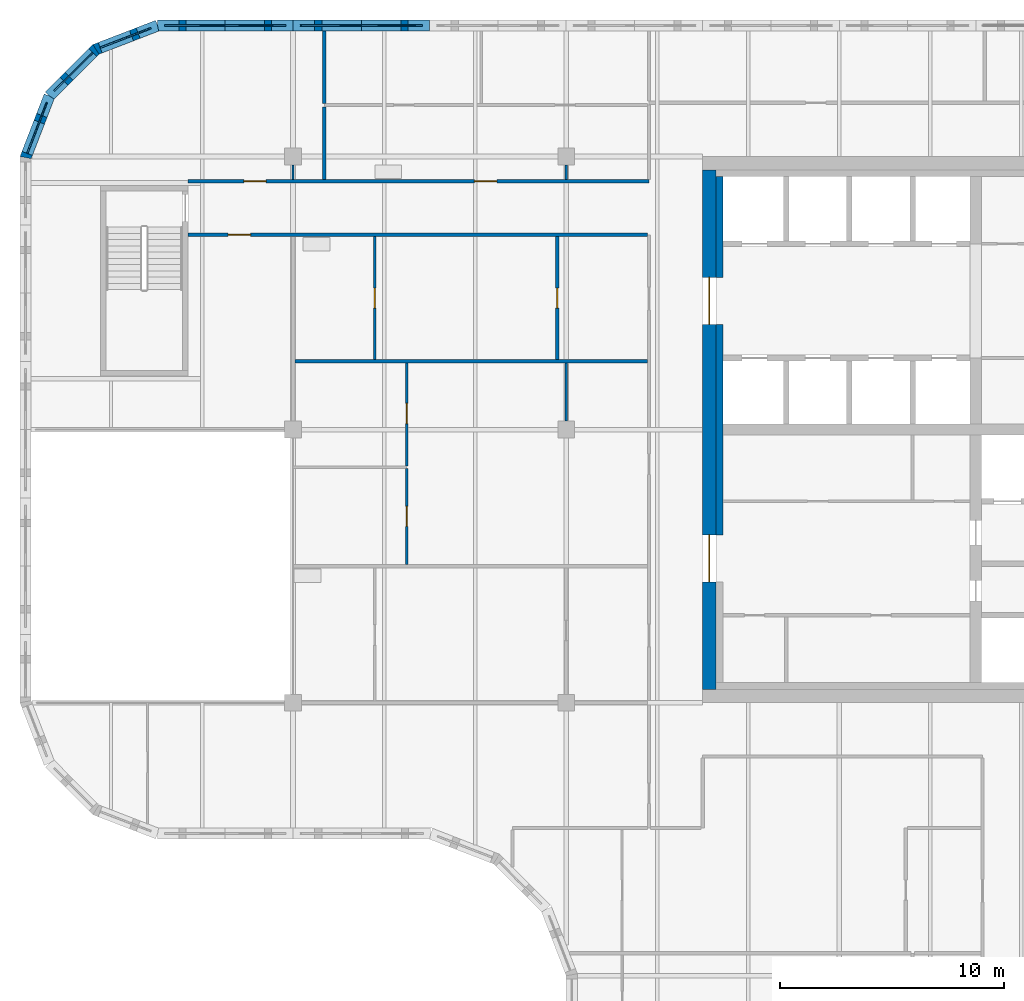
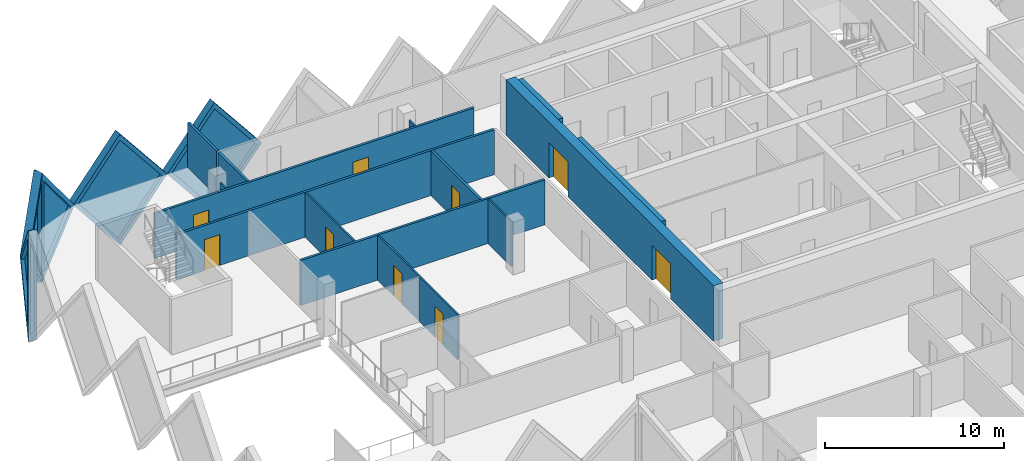
# One storey, part 7 of 12: 20 walls, 9 doors, 5 plates, 14 openings.
"""IFC4 building model written with IfcOpenShell, lengths in metres."""

from ifc_helpers import new_model, si_unit, direction, frame, frame_2d, origin, place, context, subcontext, project, spatial, polyline, rectangle, outline, extrude, faceted_brep, source, transform, mapped, material, layer, layer_set, type_object, element, fill, save


model = new_model("IFC4")

# Units and contexts
model_context = context("Model", 3, precision=1e-05, world=origin(), true_north=direction((0.0, 1.0)))
body_context = subcontext(model_context, "Body", "Model", "MODEL_VIEW")
ifc_project = project(units=[si_unit("LENGTHUNIT", "METRE"), si_unit("AREAUNIT", "SQUARE_METRE"), si_unit("VOLUMEUNIT", "CUBIC_METRE"), si_unit("PLANEANGLEUNIT", "RADIAN"), si_unit("MASSUNIT", "GRAM", prefix="KILO")], contexts=[model_context])

# Site, building, storey
site_placement = place(None, origin())
site = spatial("IfcSite", under=ifc_project, at=site_placement, CompositionType="ELEMENT")
building_placement = place(site_placement, origin())
building = spatial("IfcBuilding", under=site, at=building_placement, Name="Tessera Gate Towers", CompositionType="ELEMENT")
storey_placement = place(building_placement, frame((0.0, 0.0, 159.199951171875)))
storey = spatial("IfcBuildingStorey", under=building, at=storey_placement, Name="L39", CompositionType="ELEMENT", Elevation=159.199951171875)

# Wall, openings, doors
ifc_material_1 = material(Name="Concrete C50/60", Category="concrete")
ifc_layer_1 = layer(ifc_material_1, 0.60009765625)
ifc_layer_set_1 = layer_set([ifc_layer_1], Name="CORE SHEAR WALL 600 C50/60")
wall_type_1 = type_object("IfcWallType", Name="CORE SHEAR WALL 600 C50/60", PredefinedType="SHEAR", material=ifc_layer_set_1)
wall_1_placement = place(storey_placement, frame((30.800048828125, 25.0, 0.0), z_axis=(0.0, 0.0, 1.0), x_axis=(0.0, 1.0, 0.0)))
wall_1 = element("IfcWall", 1, at=wall_1_placement, inside=storey, type_object=wall_type_1, Name="Core wall W L39", PredefinedType="SHEAR", context=body_context, shape_type="SweptSolid", body=[
    extrude(rectangle(XDim=23.199951171875, YDim=0.60009765625, at=frame_2d((11.60009765625, 0.0))), origin(), (0.0, 0.0, 1.0), 3.800048828125),
])
shared_shape_1 = source(origin(), body_context, "Body", "SweptSolid", [
    extrude(rectangle(XDim=2.10009765625, YDim=2.39990234375, at=frame_2d((1.050048828125, 1.199951171875))), frame((0.0, 0.31005859375, 0.0), z_axis=(0.0, -1.0, 0.0), x_axis=(1.0, 0.0, 0.0)), (0.0, 0.0, 1.0), 0.6201171875),
])
opening_1_placement = place(wall_1_placement, frame((4.800048828125, 0.0, 0.0)))
opening_1 = element("IfcOpeningElement", 2, at=opening_1_placement, cuts=wall_1, Name="Opening DD-T1-26-02", PredefinedType="OPENING", context=body_context, shape_type="MappedRepresentation", body=[
    mapped(shared_shape_1, transform((0.0, 0.0, 0.0), scale=1.0)),
])
opening_2_placement = place(wall_1_placement, frame((16.300048828125, 0.0, 0.0)))
opening_2 = element("IfcOpeningElement", 3, at=opening_2_placement, cuts=wall_1, Name="Opening DD-T1-26-03", PredefinedType="OPENING", context=body_context, shape_type="MappedRepresentation", body=[
    mapped(shared_shape_1, transform((0.0, 0.0, 0.0), scale=1.0)),
])
ifc_material_2 = material(Name="Hollow steel fire door", Category="steel")
door_type_1 = type_object("IfcDoorType", Name="CORE DOOR DD 2100x2400", OperationType="NOTDEFINED", PredefinedType="DOOR", material=ifc_material_2)
shared_shape_2 = source(origin(), body_context, "Body", "SweptSolid", [
    extrude(rectangle(XDim=2.10009765625, YDim=2.39990234375, at=frame_2d((1.050048828125, 1.199951171875))), frame((0.0, 0.02490234375, 0.0), z_axis=(0.0, -1.0, 0.0), x_axis=(1.0, 0.0, 0.0)), (0.0, 0.0, 1.0), 0.050048828125),
])
door_1_placement = place(opening_1_placement, origin())
door_1 = element("IfcDoor", 4, at=door_1_placement, inside=storey, type_object=door_type_1, Name="Core entrance door", OperationType="DOUBLE_DOOR_SINGLE_SWING", OverallHeight=2.39990234375, OverallWidth=2.10009765625, PredefinedType="DOOR", context=body_context, shape_type="MappedRepresentation", body=[
    mapped(shared_shape_2, transform((0.0, 0.0, 0.0), scale=1.0)),
])
fill(opening_1, door_1)
door_2_placement = place(opening_2_placement, origin())
door_2 = element("IfcDoor", 5, at=door_2_placement, inside=storey, type_object=door_type_1, Name="Core entrance door", OperationType="DOUBLE_DOOR_SINGLE_SWING", OverallHeight=2.39990234375, OverallWidth=2.10009765625, PredefinedType="DOOR", context=body_context, shape_type="MappedRepresentation", body=[
    mapped(shared_shape_2, transform((0.0, 0.0, 0.0), scale=1.0)),
])
fill(opening_2, door_2)

# Walls
ifc_material_3 = material(Name="Concrete C50/60", Category="concrete")
ifc_layer_2 = layer(ifc_material_3, 0.300048828125)
ifc_layer_set_2 = layer_set([ifc_layer_2], Name="CORE WALL THICKENING 300")
wall_type_2 = type_object("IfcWallType", Name="CORE WALL THICKENING 300", PredefinedType="SOLIDWALL", material=ifc_layer_set_2)
wall_2_placement = place(storey_placement, frame((31.25, 31.89990234375, 0.0), z_axis=(0.0, 0.0, 1.0), x_axis=(0.0, 1.0, 0.0)))
element("IfcWall", 6, at=wall_2_placement, inside=storey, type_object=wall_type_2, Name="Core wall thickening W L39", PredefinedType="SOLIDWALL", context=body_context, shape_type="SweptSolid", body=[
    extrude(rectangle(XDim=9.400146484375, YDim=0.300048828125, at=frame_2d((4.7001953125, 0.0))), origin(), (0.0, 0.0, 1.0), 3.800048828125),
])
wall_3_placement = place(storey_placement, frame((31.25, 43.39990234375, 0.0), z_axis=(0.0, 0.0, 1.0), x_axis=(0.0, 1.0, 0.0)))
element("IfcWall", 7, at=wall_3_placement, inside=storey, type_object=wall_type_2, Name="Core wall thickening W L39", PredefinedType="SOLIDWALL", context=body_context, shape_type="SweptSolid", body=[
    extrude(rectangle(XDim=4.5, YDim=0.300048828125, at=frame_2d((2.25, 0.0))), origin(), (0.0, 0.0, 1.0), 3.800048828125),
])

# Wall, opening, door
ifc_material_4 = material(Name="Gypsum board on steel studs, mineral wool", Category="steel")
ifc_layer_3 = layer(ifc_material_4, 0.14990234375)
ifc_layer_set_3 = layer_set([ifc_layer_3], Name="CORRIDOR WALL 150")
wall_type_3 = type_object("IfcWallType", Name="CORRIDOR WALL 150", PredefinedType="PARTITIONING", material=ifc_layer_set_3)
wall_4_placement = place(storey_placement, frame((28.02392578125, 45.300048828125, 0.0), z_axis=(0.0, 0.0, 1.0), x_axis=(-1.0, 0.0, 0.0)))
wall_4 = element("IfcWall", 8, at=wall_4_placement, inside=storey, type_object=wall_type_3, Name="T1-L39-PW-039", PredefinedType="PARTITIONING", context=body_context, shape_type="SweptSolid", body=[
    extrude(rectangle(XDim=20.52392578125, YDim=0.14990234375, at=frame_2d((10.261962890625, 0.0))), origin(), (0.0, 0.0, 1.0), 3.067138671875),
])
shared_shape_3 = source(origin(), body_context, "Body", "SweptSolid", [
    extrude(rectangle(XDim=1.0, YDim=2.10009765625, at=frame_2d((0.5, 1.050048828125))), frame((0.0, 0.0849609375, 0.0), z_axis=(0.0, -1.0, 0.0), x_axis=(1.0, 0.0, 0.0)), (0.0, 0.0, 1.0), 0.169921875),
])
opening_3_placement = place(wall_4_placement, frame((17.72412109375, 0.0, 0.0)))
opening_3 = element("IfcOpeningElement", 9, at=opening_3_placement, cuts=wall_4, Name="Opening D2100FD60-A14-01", PredefinedType="OPENING", context=body_context, shape_type="MappedRepresentation", body=[
    mapped(shared_shape_3, transform((0.0, 0.0, 0.0), scale=1.0)),
])
ifc_material_5 = material(Name="Timber door leaf in steel frame", Category="steel")
door_type_2 = type_object("IfcDoorType", Name="TENANCY ENTRANCE DOOR 1000 FD60", OperationType="NOTDEFINED", PredefinedType="DOOR", material=ifc_material_5)
shared_shape_4 = source(origin(), body_context, "Body", "SweptSolid", [
    extrude(rectangle(XDim=1.0, YDim=2.10009765625, at=frame_2d((0.5, 1.050048828125))), frame((0.0, 0.02490234375, 0.0), z_axis=(0.0, -1.0, 0.0), x_axis=(1.0, 0.0, 0.0)), (0.0, 0.0, 1.0), 0.050048828125),
])
door_3_placement = place(opening_3_placement, origin())
door_3 = element("IfcDoor", 10, at=door_3_placement, inside=storey, type_object=door_type_2, Name="T1-L39-PD-005", OperationType="SINGLE_SWING_RIGHT", OverallHeight=2.10009765625, OverallWidth=1.0, PredefinedType="DOOR", context=body_context, shape_type="MappedRepresentation", body=[
    mapped(shared_shape_4, transform((0.0, 0.0, 0.0), scale=1.0)),
])
fill(opening_3, door_3)

# Wall, openings, doors
wall_5_placement = place(storey_placement, frame((7.5, 47.699951171875, 0.0), z_axis=(0.0, 0.0, 1.0), x_axis=(1.0, 0.0, 0.0)))
wall_5 = element("IfcWall", 11, at=wall_5_placement, inside=storey, type_object=wall_type_3, Name="T1-L39-PW-040", PredefinedType="PARTITIONING", context=body_context, shape_type="SweptSolid", body=[
    extrude(rectangle(XDim=20.60009765625, YDim=0.14990234375, at=frame_2d((10.300048828125, 0.0))), origin(), (0.0, 0.0, 1.0), 3.067138671875),
])
opening_4_placement = place(wall_5_placement, frame((2.5, 0.0, 0.0)))
opening_4 = element("IfcOpeningElement", 12, at=opening_4_placement, cuts=wall_5, Name="Opening D2100FD60-A14-05", PredefinedType="OPENING", context=body_context, shape_type="MappedRepresentation", body=[
    mapped(shared_shape_3, transform((0.0, 0.0, 0.0), scale=1.0)),
])
opening_5_placement = place(wall_5_placement, frame((12.800048828125, 0.0, 0.0)))
opening_5 = element("IfcOpeningElement", 13, at=opening_5_placement, cuts=wall_5, Name="Opening D2100FD60-A14-09", PredefinedType="OPENING", context=body_context, shape_type="MappedRepresentation", body=[
    mapped(shared_shape_3, transform((0.0, 0.0, 0.0), scale=1.0)),
])
door_4_placement = place(opening_4_placement, origin())
door_4 = element("IfcDoor", 14, at=door_4_placement, inside=storey, type_object=door_type_2, Name="T1-L39-PD-016", OperationType="SINGLE_SWING_LEFT", OverallHeight=2.10009765625, OverallWidth=1.0, PredefinedType="DOOR", context=body_context, shape_type="MappedRepresentation", body=[
    mapped(shared_shape_4, transform((0.0, 0.0, 0.0), scale=1.0)),
])
fill(opening_4, door_4)
door_5_placement = place(opening_5_placement, origin())
door_5 = element("IfcDoor", 15, at=door_5_placement, inside=storey, type_object=door_type_2, Name="T1-L39-PD-026", OperationType="SINGLE_SWING_LEFT", OverallHeight=2.10009765625, OverallWidth=1.0, PredefinedType="DOOR", context=body_context, shape_type="MappedRepresentation", body=[
    mapped(shared_shape_4, transform((0.0, 0.0, 0.0), scale=1.0)),
])
fill(opening_5, door_5)

# Wall, opening, door
ifc_material_6 = material(Name="Gypsum board on steel studs", Category="steel")
ifc_layer_4 = layer(ifc_material_6, 0.10009765625)
ifc_layer_set_4 = layer_set([ifc_layer_4], Name="PARTITION 100")
wall_type_4 = type_object("IfcWallType", Name="PARTITION 100", PredefinedType="PARTITIONING", material=ifc_layer_set_4)
wall_6_placement = place(storey_placement, frame((17.27490234375, 30.575927734375, 0.0), z_axis=(0.0, 0.0, 1.0), x_axis=(0.0, 1.0, 0.0)))
wall_6 = element("IfcWall", 16, at=wall_6_placement, inside=storey, type_object=wall_type_4, Name="T1-L39-PW-031", PredefinedType="PARTITIONING", context=body_context, shape_type="SweptSolid", body=[
    extrude(rectangle(XDim=4.29345703125, YDim=0.10009765625, at=frame_2d((2.146728515625, 0.0))), origin(), (0.0, 0.0, 1.0), 3.067138671875),
])
shared_shape_5 = source(origin(), body_context, "Body", "SweptSolid", [
    extrude(rectangle(XDim=0.89990234375, YDim=2.10009765625, at=frame_2d((0.449951171875, 1.050048828125))), frame((0.0, 0.06005859375, 0.0), z_axis=(0.0, -1.0, 0.0), x_axis=(1.0, 0.0, 0.0)), (0.0, 0.0, 1.0), 0.1201171875),
])
opening_6_placement = place(wall_6_placement, frame((1.699951171875, 0.0, 0.0)))
opening_6 = element("IfcOpeningElement", 17, at=opening_6_placement, cuts=wall_6, Name="Opening D190-A14-02", PredefinedType="OPENING", context=body_context, shape_type="MappedRepresentation", body=[
    mapped(shared_shape_5, transform((0.0, 0.0, 0.0), scale=1.0)),
])
ifc_material_7 = material(Name="Timber door leaf in steel frame", Category="steel")
door_type_3 = type_object("IfcDoorType", Name="INTERNAL DOOR 900 NOT RATED", OperationType="NOTDEFINED", PredefinedType="DOOR", material=ifc_material_7)
shared_shape_6 = source(origin(), body_context, "Body", "SweptSolid", [
    extrude(rectangle(XDim=0.89990234375, YDim=2.10009765625, at=frame_2d((0.449951171875, 1.050048828125))), frame((0.0, 0.02490234375, 0.0), z_axis=(0.0, -1.0, 0.0), x_axis=(1.0, 0.0, 0.0)), (0.0, 0.0, 1.0), 0.050048828125),
])
door_6_placement = place(opening_6_placement, origin())
door_6 = element("IfcDoor", 18, at=door_6_placement, inside=storey, type_object=door_type_3, Name="T1-L39-PD-003", OperationType="SINGLE_SWING_LEFT", OverallHeight=2.10009765625, OverallWidth=0.89990234375, PredefinedType="DOOR", context=body_context, shape_type="MappedRepresentation", body=[
    mapped(shared_shape_6, transform((0.0, 0.0, 0.0), scale=1.0)),
])
fill(opening_6, door_6)

wall_7_placement = place(storey_placement, frame((17.27490234375, 34.97119140625, 0.0), z_axis=(0.0, 0.0, 1.0), x_axis=(0.0, 1.0, 0.0)))
wall_7 = element("IfcWall", 19, at=wall_7_placement, inside=storey, type_object=wall_type_4, Name="T1-L39-PW-033", PredefinedType="PARTITIONING", context=body_context, shape_type="SweptSolid", body=[
    extrude(rectangle(XDim=4.602783203125, YDim=0.10009765625, at=frame_2d((2.30126953125, 0.0))), origin(), (0.0, 0.0, 1.0), 3.067138671875),
])
opening_7_placement = place(wall_7_placement, frame((1.89990234375, 0.0, 0.0)))
opening_7 = element("IfcOpeningElement", 20, at=opening_7_placement, cuts=wall_7, Name="Opening D190-A14-03", PredefinedType="OPENING", context=body_context, shape_type="MappedRepresentation", body=[
    mapped(shared_shape_5, transform((0.0, 0.0, 0.0), scale=1.0)),
])
door_7_placement = place(opening_7_placement, origin())
door_7 = element("IfcDoor", 21, at=door_7_placement, inside=storey, type_object=door_type_3, Name="T1-L39-PD-004", OperationType="SINGLE_SWING_LEFT", OverallHeight=2.10009765625, OverallWidth=0.89990234375, PredefinedType="DOOR", context=body_context, shape_type="MappedRepresentation", body=[
    mapped(shared_shape_6, transform((0.0, 0.0, 0.0), scale=1.0)),
])
fill(opening_7, door_7)

# Wall
wall_8_placement = place(storey_placement, frame((24.39990234375, 36.97509765625, 0.0), z_axis=(0.0, 0.0, 1.0), x_axis=(0.0, 1.0, 0.0)))
element("IfcWall", 22, at=wall_8_placement, inside=storey, type_object=wall_type_4, Name="T1-L39-PW-035", PredefinedType="PARTITIONING", context=body_context, shape_type="SweptSolid", body=[
    extrude(rectangle(XDim=2.599853515625, YDim=0.10009765625, at=frame_2d((1.2998046875, 0.0))), origin(), (0.0, 0.0, 1.0), 3.067138671875),
])

# Wall, opening, door
wall_9_placement = place(storey_placement, frame((15.85009765625, 39.72607421875, 0.0), z_axis=(0.0, 0.0, 1.0), x_axis=(0.0, 1.0, 0.0)))
wall_9 = element("IfcWall", 23, at=wall_9_placement, inside=storey, type_object=wall_type_4, Name="T1-L39-PW-037", PredefinedType="PARTITIONING", context=body_context, shape_type="SweptSolid", body=[
    extrude(rectangle(XDim=5.498046875, YDim=0.10009765625, at=frame_2d((2.7490234375, 0.0))), origin(), (0.0, 0.0, 1.0), 3.067138671875),
])
opening_8_placement = place(wall_9_placement, frame((2.300048828125, 0.0, 0.0)))
opening_8 = element("IfcOpeningElement", 24, at=opening_8_placement, cuts=wall_9, Name="Opening D190-A14-06", PredefinedType="OPENING", context=body_context, shape_type="MappedRepresentation", body=[
    mapped(shared_shape_5, transform((0.0, 0.0, 0.0), scale=1.0)),
])
door_8_placement = place(opening_8_placement, origin())
door_8 = element("IfcDoor", 25, at=door_8_placement, inside=storey, type_object=door_type_3, Name="T1-L39-PD-009", OperationType="SINGLE_SWING_LEFT", OverallHeight=2.10009765625, OverallWidth=0.89990234375, PredefinedType="DOOR", context=body_context, shape_type="MappedRepresentation", body=[
    mapped(shared_shape_6, transform((0.0, 0.0, 0.0), scale=1.0)),
])
fill(opening_8, door_8)

# Walls
for number, where, z_axis, x_axis, name in (
    (26, (12.199951171875, 48.425048828125, 0.0), (0.0, 0.0, 1.0), (0.0, -1.0, 0.0), "T1-L39-PW-043"),
    (27, (24.39990234375, 48.425048828125, 0.0), (0.0, 0.0, 1.0), (0.0, -1.0, 0.0), "T1-L39-PW-044"),
):
    element("IfcWall", number, at=place(storey_placement, frame(where, z_axis=z_axis, x_axis=x_axis)), inside=storey, type_object=wall_type_4, Name=name, PredefinedType="PARTITIONING", context=body_context, shape_type="SweptSolid", body=[
        extrude(rectangle(XDim=0.650146484375, YDim=0.10009765625, at=frame_2d((0.3251953125, 0.0))), origin(), (0.0, 0.0, 1.0), 3.067138671875),
    ])
ifc_material_8 = material(Name="Gypsum board on steel studs, mineral wool", Category="steel")
ifc_layer_5 = layer(ifc_material_8, 0.14990234375)
ifc_layer_set_5 = layer_set([ifc_layer_5], Name="TENANCY WALL 150")
wall_type_5 = type_object("IfcWallType", Name="TENANCY WALL 150", PredefinedType="PARTITIONING", material=ifc_layer_set_5)
wall_10_placement = place(storey_placement, frame((12.27587890625, 39.64990234375, 0.0), z_axis=(0.0, 0.0, 1.0), x_axis=(1.0, 0.0, 0.0)))
element("IfcWall", 28, at=wall_10_placement, inside=storey, type_object=wall_type_5, Name="T1-L39-PW-036", PredefinedType="PARTITIONING", context=body_context, shape_type="SweptSolid", body=[
    extrude(rectangle(XDim=15.748046875, YDim=0.14990234375, at=frame_2d((7.8740234375, 0.0))), origin(), (0.0, 0.0, 1.0), 3.067138671875),
])

# Wall, opening, door
wall_11_placement = place(storey_placement, frame((24.0, 39.72607421875, 0.0), z_axis=(0.0, 0.0, 1.0), x_axis=(0.0, 1.0, 0.0)))
wall_11 = element("IfcWall", 29, at=wall_11_placement, inside=storey, type_object=wall_type_5, Name="T1-L39-PW-038", PredefinedType="PARTITIONING", context=body_context, shape_type="SweptSolid", body=[
    extrude(rectangle(XDim=5.498046875, YDim=0.14990234375, at=frame_2d((2.7490234375, 0.0))), origin(), (0.0, 0.0, 1.0), 3.067138671875),
])
shared_shape_7 = source(origin(), body_context, "Body", "SweptSolid", [
    extrude(rectangle(XDim=0.89990234375, YDim=2.10009765625, at=frame_2d((0.449951171875, 1.050048828125))), frame((0.0, 0.0849609375, 0.0), z_axis=(0.0, -1.0, 0.0), x_axis=(1.0, 0.0, 0.0)), (0.0, 0.0, 1.0), 0.169921875),
])
opening_9_placement = place(wall_11_placement, frame((2.300048828125, 0.0, 0.0)))
opening_9 = element("IfcOpeningElement", 30, at=opening_9_placement, cuts=wall_11, Name="Opening D190-A14-05", PredefinedType="OPENING", context=body_context, shape_type="MappedRepresentation", body=[
    mapped(shared_shape_7, transform((0.0, 0.0, 0.0), scale=1.0)),
])
door_9_placement = place(opening_9_placement, origin())
door_9 = element("IfcDoor", 31, at=door_9_placement, inside=storey, type_object=door_type_3, Name="T1-L39-PD-008", OperationType="SINGLE_SWING_LEFT", OverallHeight=2.10009765625, OverallWidth=0.89990234375, PredefinedType="DOOR", context=body_context, shape_type="MappedRepresentation", body=[
    mapped(shared_shape_6, transform((0.0, 0.0, 0.0), scale=1.0)),
])
fill(opening_9, door_9)

# Walls
wall_12_placement = place(storey_placement, frame((13.60009765625, 47.77587890625, 0.0), z_axis=(0.0, 0.0, 1.0), x_axis=(0.0, 1.0, 0.0)))
element("IfcWall", 32, at=wall_12_placement, inside=storey, type_object=wall_type_5, Name="T1-L39-PW-041", PredefinedType="PARTITIONING", context=body_context, shape_type="SweptSolid", body=[
    extrude(rectangle(XDim=3.248046875, YDim=0.14990234375, at=frame_2d((1.6240234375, 0.0))), origin(), (0.0, 0.0, 1.0), 3.067138671875),
])
wall_13_placement = place(storey_placement, frame((13.60009765625, 51.176025390625, 0.0), z_axis=(0.0, 0.0, 1.0), x_axis=(0.0, 1.0, 0.0)))
element("IfcWall", 33, at=wall_13_placement, inside=storey, type_object=wall_type_5, Name="T1-L39-PW-046", PredefinedType="PARTITIONING", context=body_context, shape_type="SweptSolid", body=[
    extrude(rectangle(XDim=3.223876953125, YDim=0.14990234375, at=frame_2d((1.61181640625, 0.0))), origin(), (0.0, 0.0, 1.0), 3.067138671875),
])

# Wall, opening, plate
ifc_material_9 = material(Name="Precast concrete C60/75 white", Category="concrete")
ifc_layer_6 = layer(ifc_material_9, 0.5)
ifc_layer_set_6 = layer_set([ifc_layer_6], Name="TS1 tessera")
wall_type_6 = type_object("IfcWallType", Name="TS1 tessera", PredefinedType="SOLIDWALL", material=ifc_layer_set_6)
shared_shape_8 = source(origin(), body_context, "Body", "SweptSolid", [
    extrude(outline(polyline([(3.050048828125, 0.0), (6.10009765625, 3.800048828125), (3.050048828125, 7.60009765625), (0.0, 3.800048828125), (3.050048828125, 0.0)])), frame((0.0, 0.25, 0.0), z_axis=(0.0, -1.0, 0.0), x_axis=(1.0, 0.0, 0.0)), (0.0, 0.0, 1.0), 0.5),
])
wall_14_placement = place(storey_placement, frame((18.300048828125, 54.64990234375, -3.800048828125), z_axis=(0.0, 0.0, 1.0), x_axis=(-1.0, 0.0, 0.0)))
wall_14 = element("IfcWall", 34, at=wall_14_placement, inside=storey, type_object=wall_type_6, Name="Precast tessera T1 TS1-0660", PredefinedType="SOLIDWALL", context=body_context, shape_type="MappedRepresentation", body=[
    mapped(shared_shape_8, transform((0.0, 0.0, 0.0), scale=1.0)),
])
shared_shape_9 = source(origin(), body_context, "Body", "SweptSolid", [
    extrude(outline(polyline([(3.050048828125, 0.3994140625), (5.779541015625, 3.800048828125), (3.050048828125, 7.20068359375), (0.320556640625, 3.800048828125), (3.050048828125, 0.3994140625)])), frame((0.0, 0.260009765625, 0.0), z_axis=(0.0, -1.0, 0.0), x_axis=(1.0, 0.0, 0.0)), (0.0, 0.0, 1.0), 0.52001953125),
])
opening_10_placement = place(wall_14_placement, origin())
opening_10 = element("IfcOpeningElement", 35, at=opening_10_placement, cuts=wall_14, Name="Opening T1-PL2-1340", PredefinedType="OPENING", context=body_context, shape_type="MappedRepresentation", body=[
    mapped(shared_shape_9, transform((0.0, 0.0, 0.0), scale=1.0)),
])
ifc_material_10 = material(Name="Low-e laminated glass", Category="glass")
ifc_layer_7 = layer(ifc_material_10, 0.06005859375)
ifc_layer_set_7 = layer_set([ifc_layer_7], Name="PL2 rhombic pane")
plate_type = type_object("IfcPlateType", Name="PL2 rhombic pane", PredefinedType="SHEET", material=ifc_layer_set_7)
shared_shape_10 = source(origin(), body_context, "Body", "SweptSolid", [
    extrude(outline(polyline([(3.050048828125, 0.3994140625), (5.779541015625, 3.800048828125), (3.050048828125, 7.20068359375), (0.320556640625, 3.800048828125), (3.050048828125, 0.3994140625)])), frame((0.0, 0.030029296875, 0.0), z_axis=(0.0, -1.0, 0.0), x_axis=(1.0, 0.0, 0.0)), (0.0, 0.0, 1.0), 0.06005859375),
])
plate_1_placement = place(opening_10_placement, origin())
plate_1 = element("IfcPlate", 36, at=plate_1_placement, inside=storey, type_object=plate_type, Name="Glass pane T1 PL2-1340", PredefinedType="SHEET", context=body_context, shape_type="MappedRepresentation", body=[
    mapped(shared_shape_10, transform((0.0, 0.0, 0.0), scale=1.0)),
])
fill(opening_10, plate_1)

shared_shape_11 = source(origin(), body_context, "Body", "Brep", [
    faceted_brep([(3.050048828125, -0.25, 0.0), (6.053466796875, -0.25, 3.800048828125), (3.050048828125, -0.25, 7.60009765625), (0.0, -0.25, 3.800048828125), (0.0, 0.25, 3.800048828125), (3.050048828125, 0.25, 7.60009765625), (6.0068359375, 0.25, 3.85888671875), (6.0068359375, 0.25, 3.7412109375), (3.050048828125, 0.25, 0.0), (6.053466796875, 0.0, 3.800048828125)], [[[0, 1, 2, 3]], [[4, 5, 6, 7, 8]], [[8, 7, 9, 1, 0]], [[6, 5, 2, 1, 9]], [[5, 4, 3, 2]], [[4, 8, 0, 3]], [[9, 7, 6]]]),
])
wall_15_placement = place(storey_placement, frame((12.199951171875, 54.64990234375, -3.800048828125), z_axis=(0.0, 0.0, 1.0), x_axis=(-1.0, 0.0, 0.0)))
wall_15 = element("IfcWall", 37, at=wall_15_placement, inside=storey, type_object=wall_type_6, Name="Precast tessera T1 TS1-0661", PredefinedType="SOLIDWALL", context=body_context, shape_type="MappedRepresentation", body=[
    mapped(shared_shape_11, transform((0.0, 0.0, 0.0), scale=1.0)),
])
shared_shape_12 = source(origin(), body_context, "Body", "SweptSolid", [
    extrude(outline(polyline([(3.048583984375, 0.4013671875), (5.73486328125, 3.800048828125), (3.048583984375, 7.19873046875), (0.320556640625, 3.800048828125), (3.048583984375, 0.4013671875)])), frame((0.0, 0.260009765625, 0.0), z_axis=(0.0, -1.0, 0.0), x_axis=(1.0, 0.0, 0.0)), (0.0, 0.0, 1.0), 0.52001953125),
])
opening_11_placement = place(wall_15_placement, origin())
opening_11 = element("IfcOpeningElement", 38, at=opening_11_placement, cuts=wall_15, Name="Opening T1-PL2-1341", PredefinedType="OPENING", context=body_context, shape_type="MappedRepresentation", body=[
    mapped(shared_shape_12, transform((0.0, 0.0, 0.0), scale=1.0)),
])
shared_shape_13 = source(origin(), body_context, "Body", "SweptSolid", [
    extrude(outline(polyline([(3.048583984375, 0.4013671875), (5.73486328125, 3.800048828125), (3.048583984375, 7.19873046875), (0.320556640625, 3.800048828125), (3.048583984375, 0.4013671875)])), frame((0.0, 0.030029296875, 0.0), z_axis=(0.0, -1.0, 0.0), x_axis=(1.0, 0.0, 0.0)), (0.0, 0.0, 1.0), 0.06005859375),
])
plate_2_placement = place(opening_11_placement, origin())
plate_2 = element("IfcPlate", 39, at=plate_2_placement, inside=storey, type_object=plate_type, Name="Glass pane T1 PL2-1341", PredefinedType="SHEET", context=body_context, shape_type="MappedRepresentation", body=[
    mapped(shared_shape_13, transform((0.0, 0.0, 0.0), scale=1.0)),
])
fill(opening_11, plate_2)

ifc_material_11 = material(Name="Precast concrete C60/75 white", Category="concrete")
ifc_layer_8 = layer(ifc_material_11, 0.5)
ifc_layer_set_8 = layer_set([ifc_layer_8], Name="TS3 corner tessera")
wall_type_7 = type_object("IfcWallType", Name="TS3 corner tessera", PredefinedType="SOLIDWALL", material=ifc_layer_set_8)
shared_shape_14 = source(origin(), body_context, "Body", "Brep", [
    faceted_brep([(2.950439453125, -0.25, 0.0), (3.00341796875, -0.25, 0.068359375), (3.00341796875, -0.25, 7.53173828125), (2.950439453125, -0.25, 7.60009765625), (0.0, -0.25, 3.800048828125), (0.046630859375, 0.25, 3.860107421875), (2.897705078125, 0.25, 7.531982421875), (2.897705078125, 0.25, 0.068115234375), (0.046630859375, 0.25, 3.739990234375), (2.950439453125, 0.00048828125, 0.0), (2.950439453125, 0.00048828125, 7.60009765625), (0.0, 0.0, 3.800048828125)], [[[0, 1, 2, 3, 4]], [[5, 6, 7, 8]], [[1, 0, 9]], [[10, 3, 2]], [[6, 5, 11, 4, 3, 10]], [[8, 7, 9, 0, 4, 11]], [[8, 11, 5]], [[1, 9, 7, 6, 10, 2]]]),
])
wall_16_placement = place(storey_placement, frame((6.146484375, 54.64990234375, -3.800048828125), z_axis=(0.0, 0.0, 1.0), x_axis=(-0.932997369089, -0.359883188373, 0.0)))
wall_16 = element("IfcWall", 40, at=wall_16_placement, inside=storey, type_object=wall_type_7, Name="Precast corner tessera T1 TS3-0897", PredefinedType="SOLIDWALL", context=body_context, shape_type="MappedRepresentation", body=[
    mapped(shared_shape_14, transform((0.0, 0.0, 0.0), scale=1.0)),
])
shared_shape_15 = source(origin(), body_context, "Body", "SweptSolid", [
    extrude(outline(polyline([(2.75048828125, 6.934814453125), (0.31640625, 3.800048828125), (2.75048828125, 0.665283203125), (2.75048828125, 6.934814453125)])), frame((0.0, 0.260009765625, 0.0), z_axis=(0.0, -1.0, 0.0), x_axis=(1.0, 0.0, 0.0)), (0.0, 0.0, 1.0), 0.52001953125),
])
opening_12_placement = place(wall_16_placement, origin())
opening_12 = element("IfcOpeningElement", 41, at=opening_12_placement, cuts=wall_16, Name="Opening T1-PL2-1342", PredefinedType="OPENING", context=body_context, shape_type="MappedRepresentation", body=[
    mapped(shared_shape_15, transform((0.0, 0.0, 0.0), scale=1.0)),
])
shared_shape_16 = source(origin(), body_context, "Body", "SweptSolid", [
    extrude(outline(polyline([(2.75048828125, 6.934814453125), (0.31640625, 3.800048828125), (2.75048828125, 0.665283203125), (2.75048828125, 6.934814453125)])), frame((0.0, 0.030029296875, 0.0), z_axis=(0.0, -1.0, 0.0), x_axis=(1.0, 0.0, 0.0)), (0.0, 0.0, 1.0), 0.06005859375),
])
plate_3_placement = place(opening_12_placement, origin())
plate_3 = element("IfcPlate", 42, at=plate_3_placement, inside=storey, type_object=plate_type, Name="Glass pane T1 PL2-1342", PredefinedType="SHEET", context=body_context, shape_type="MappedRepresentation", body=[
    mapped(shared_shape_16, transform((0.0, 0.0, 0.0), scale=1.0)),
])
fill(opening_12, plate_3)

shared_shape_17 = source(origin(), body_context, "Body", "Brep", [
    faceted_brep([(0.052978515625, -0.25, 0.0), (2.9970703125, -0.25, 3.800048828125), (0.052978515625, -0.25, 7.60009765625), (0.0, -0.25, 7.531982421875), (0.0, -0.25, 0.068115234375), (0.10595703125, 0.25, 7.53173828125), (2.944091796875, 0.25, 3.8681640625), (2.944091796875, 0.25, 3.73193359375), (0.10595703125, 0.25, 0.068359375), (2.9970703125, 0.000244140625, 3.800048828125), (0.052978515625, 0.0, 0.0), (0.052978515625, 0.0, 7.60009765625)], [[[0, 1, 2, 3, 4]], [[5, 6, 7, 8]], [[8, 7, 9, 1, 0, 10]], [[6, 5, 11, 2, 1, 9]], [[3, 2, 11]], [[10, 0, 4]], [[8, 10, 4, 3, 11, 5]], [[9, 7, 6]]]),
])
wall_17_placement = place(storey_placement, frame((3.43115234375, 53.62548828125, -3.800048828125), z_axis=(0.0, 0.0, 1.0), x_axis=(-0.707106781187, -0.707106781187, 0.0)))
wall_17 = element("IfcWall", 43, at=wall_17_placement, inside=storey, type_object=wall_type_7, Name="Precast corner tessera T1 TS3-0898", PredefinedType="SOLIDWALL", context=body_context, shape_type="MappedRepresentation", body=[
    mapped(shared_shape_17, transform((0.0, 0.0, 0.0), scale=1.0)),
])
shared_shape_18 = source(origin(), body_context, "Body", "SweptSolid", [
    extrude(outline(polyline([(0.2529296875, 0.66650390625), (2.680908203125, 3.800048828125), (0.2529296875, 6.933837890625), (0.2529296875, 0.66650390625)])), frame((0.0, 0.260009765625, 0.0), z_axis=(0.0, -1.0, 0.0), x_axis=(1.0, 0.0, 0.0)), (0.0, 0.0, 1.0), 0.52001953125),
])
opening_13_placement = place(wall_17_placement, origin())
opening_13 = element("IfcOpeningElement", 44, at=opening_13_placement, cuts=wall_17, Name="Opening T1-PL2-1343", PredefinedType="OPENING", context=body_context, shape_type="MappedRepresentation", body=[
    mapped(shared_shape_18, transform((0.0, 0.0, 0.0), scale=1.0)),
])
shared_shape_19 = source(origin(), body_context, "Body", "SweptSolid", [
    extrude(outline(polyline([(0.2529296875, 0.66650390625), (2.680908203125, 3.800048828125), (0.2529296875, 6.933837890625), (0.2529296875, 0.66650390625)])), frame((0.0, 0.030029296875, 0.0), z_axis=(0.0, -1.0, 0.0), x_axis=(1.0, 0.0, 0.0)), (0.0, 0.0, 1.0), 0.06005859375),
])
plate_4_placement = place(opening_13_placement, origin())
plate_4 = element("IfcPlate", 45, at=plate_4_placement, inside=storey, type_object=plate_type, Name="Glass pane T1 PL2-1343", PredefinedType="SHEET", context=body_context, shape_type="MappedRepresentation", body=[
    mapped(shared_shape_19, transform((0.0, 0.0, 0.0), scale=1.0)),
])
fill(opening_13, plate_4)

shared_shape_20 = source(origin(), body_context, "Body", "Brep", [
    faceted_brep([(2.950439453125, -0.25, 0.0), (2.9970703125, -0.25, 0.05908203125), (2.9970703125, -0.25, 7.541015625), (2.950439453125, -0.25, 7.60009765625), (0.0, -0.25, 3.800048828125), (0.052978515625, 0.25, 3.8681640625), (2.904052734375, 0.25, 7.540283203125), (2.904052734375, 0.25, 0.059814453125), (0.052978515625, 0.25, 3.73193359375), (2.950439453125, 0.00048828125, 0.0), (2.950439453125, 0.00048828125, 7.60009765625), (0.0, 0.0, 3.800048828125)], [[[0, 1, 2, 3, 4]], [[5, 6, 7, 8]], [[1, 0, 9]], [[10, 3, 2]], [[6, 5, 11, 4, 3, 10]], [[8, 7, 9, 0, 4, 11]], [[8, 11, 5]], [[1, 9, 7, 6, 10, 2]]]),
])
wall_18_placement = place(storey_placement, frame((1.31201171875, 51.50634765625, -3.800048828125), z_axis=(0.0, 0.0, 1.0), x_axis=(-0.359944998003, -0.932973525033, 0.0)))
wall_18 = element("IfcWall", 46, at=wall_18_placement, inside=storey, type_object=wall_type_7, Name="Precast corner tessera T1 TS3-0899", PredefinedType="SOLIDWALL", context=body_context, shape_type="MappedRepresentation", body=[
    mapped(shared_shape_20, transform((0.0, 0.0, 0.0), scale=1.0)),
])
opening_14_placement = place(wall_18_placement, origin())
opening_14 = element("IfcOpeningElement", 47, at=opening_14_placement, cuts=wall_18, Name="Opening T1-PL2-1344", PredefinedType="OPENING", context=body_context, shape_type="MappedRepresentation", body=[
    mapped(shared_shape_15, transform((0.0, 0.0, 0.0), scale=1.0)),
])
plate_5_placement = place(opening_14_placement, origin())
plate_5 = element("IfcPlate", 48, at=plate_5_placement, inside=storey, type_object=plate_type, Name="Glass pane T1 PL2-1344", PredefinedType="SHEET", context=body_context, shape_type="MappedRepresentation", body=[
    mapped(shared_shape_16, transform((0.0, 0.0, 0.0), scale=1.0)),
])
fill(opening_14, plate_5)

save(model, "model.ifc")
